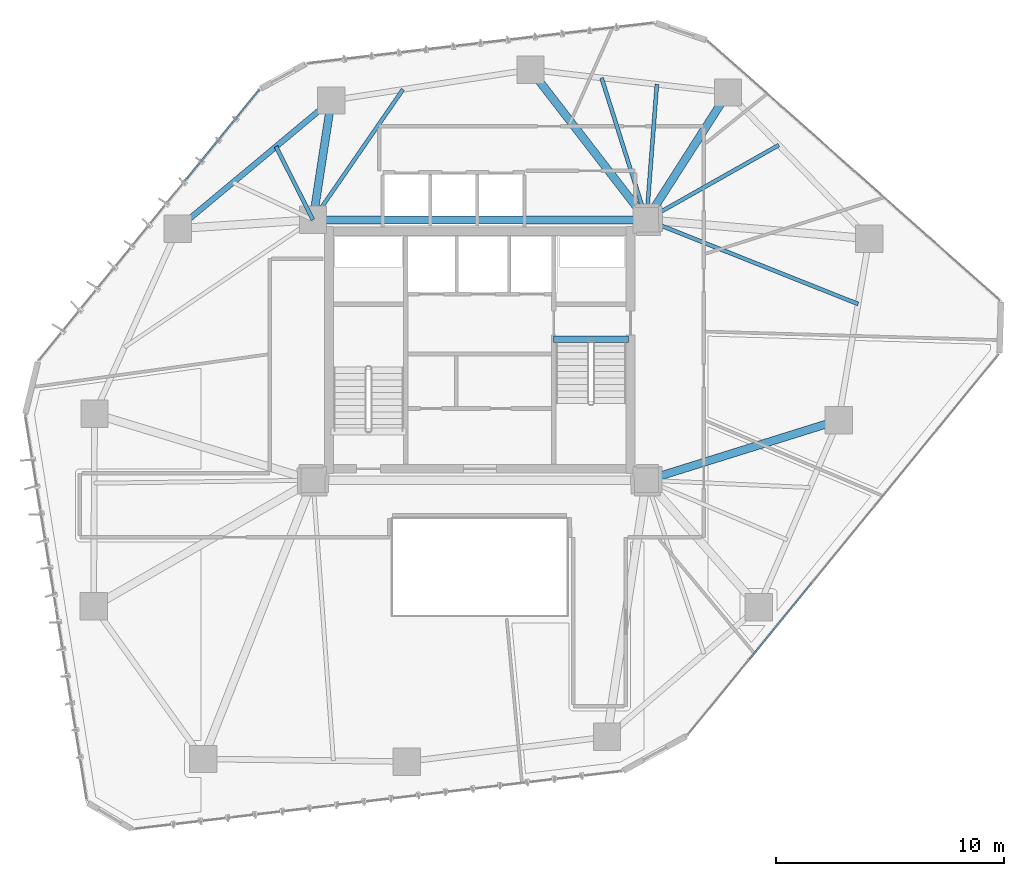
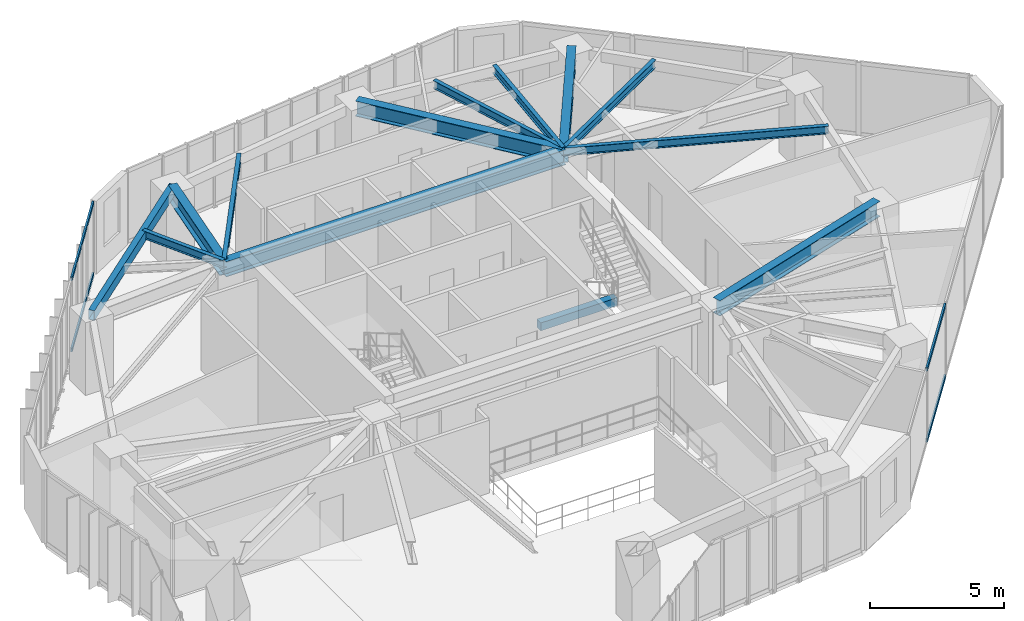
# One storey, part 11 of 24: 13 beams, 4 members, 2 elements without a shape of their own.
"""IFC4 building model written with IfcOpenShell, lengths in metres."""

from ifc_helpers import new_model, si_unit, direction, frame, origin, origin_2d, place, context, subcontext, project, spatial, rectangle, hollow_rectangle, i_section, extrude, source, transform, mapped, material, layer, layer_set, material_profile, profile_set, type_object, type_shapes, element, aggregate, save


model = new_model("IFC4")

# Units and contexts
model_context = context("Model", 3, precision=1e-05, world=origin(), true_north=direction((0.0, 1.0)))
body_context = subcontext(model_context, "Body", "Model", "MODEL_VIEW")
ifc_project = project(units=[si_unit("LENGTHUNIT", "METRE"), si_unit("AREAUNIT", "SQUARE_METRE"), si_unit("VOLUMEUNIT", "CUBIC_METRE"), si_unit("PLANEANGLEUNIT", "RADIAN"), si_unit("MASSUNIT", "GRAM", prefix="KILO")], contexts=[model_context])

# Site, building, storey
site_placement = place(None, origin())
site = spatial("IfcSite", under=ifc_project, at=site_placement, CompositionType="ELEMENT")
building_placement = place(site_placement, origin())
building = spatial("IfcBuilding", under=site, at=building_placement, Name="Talar Marvaseh", CompositionType="ELEMENT")
storey_placement = place(building_placement, frame((0.0, 0.0, 111.0)))
storey = spatial("IfcBuildingStorey", under=building, at=storey_placement, Name="L28", CompositionType="ELEMENT", Elevation=111.0)

# Beams
ifc_material_1 = material(Name="Concrete C40/50", Category="concrete")
ifc_material_profile_1 = material_profile(ifc_material_1, rectangle(XDim=0.300048828125, YDim=0.360107421875, at=origin_2d()), Name="RC300x360")
ifc_profile_set_1 = profile_set([ifc_material_profile_1], Name="Concrete C40/50")
beam_type_1 = type_object("IfcBeamType", Name="Concrete Stair Landing Trimmer Beam RC300x360", PredefinedType="SPANDREL", material=ifc_profile_set_1)
beam_1_placement = place(storey_placement, frame((29.219970703125, 31.669921875, -0.179931640625), z_axis=(1.0, 0.0, 0.0), x_axis=(0.0, 1.0, 0.0)))
element("IfcBeam", 1, at=beam_1_placement, inside=storey, type_object=beam_type_1, Name="L28 ST-2 Stair Nosing Trimmer Beam", PredefinedType="SPANDREL", context=body_context, shape_type="SweptSolid", body=[
    extrude(rectangle(XDim=0.300048828125, YDim=0.360107421875, at=origin_2d()), origin(), (0.0, 0.0, 1.0), 3.300048828125),
])
ifc_material_2 = material(Name="Steel S355", Category="steel")
ifc_material_profile_2 = material_profile(ifc_material_2, hollow_rectangle(XDim=0.25, YDim=0.449951171875, WallThickness=0.01611328125, at=origin_2d()), Name="RHS450x250x16")
ifc_profile_set_2 = profile_set([ifc_material_profile_2], Name="Steel S355")
beam_type_2 = type_object("IfcBeamType", Name="Zone 2 Perimeter Spandrel Beam RHS450x250x16", PredefinedType="SPANDREL", material=ifc_profile_set_2)
beam_2_placement = place(storey_placement, frame((12.780029296875, 36.51708984375, 3.0849609375), z_axis=(0.76793081465, 0.640532796905, 0.0), x_axis=(-0.640532796905, 0.76793081465, 0.0)))
element("IfcBeam", 2, at=beam_2_placement, inside=storey, type_object=beam_type_2, Name="L28 Zone 2 Perimeter Spandrel Beam RHS450x250x16", PredefinedType="SPANDREL", context=body_context, shape_type="SweptSolid", body=[
    extrude(hollow_rectangle(XDim=0.25, YDim=0.449951171875, WallThickness=0.01611328125, at=origin_2d()), origin(), (0.0, 0.0, 1.0), 8.751953125),
])
ifc_material_profile_3 = material_profile(ifc_material_2, i_section(OverallWidth=0.35498046875, OverallDepth=0.695068359375, WebThickness=0.015380859375, FlangeThickness=0.02490234375, at=origin_2d()), Name="W690x217")
ifc_profile_set_3 = profile_set([ifc_material_profile_3], Name="Steel S355")
beam_type_3 = type_object("IfcBeamType", Name="Zone 2 Radial Floor Girder W690x217", PredefinedType="BEAM", material=ifc_profile_set_3)
beam_3_placement = place(storey_placement, frame((18.699951171875, 36.89990234375, 2.96240234375), z_axis=(1.0, 0.0, 0.0), x_axis=(0.0, 1.0, 0.0)))
element("IfcBeam", 3, at=beam_3_placement, inside=storey, type_object=beam_type_3, Name="L28 Zone 2 Radial Floor Girder W690x217", PredefinedType="BEAM", context=body_context, shape_type="SweptSolid", body=[
    extrude(i_section(OverallWidth=0.35498046875, OverallDepth=0.695068359375, WebThickness=0.015380859375, FlangeThickness=0.02490234375, at=origin_2d()), origin(), (0.0, 0.0, 1.0), 14.60009765625),
])
beam_4_placement = place(storey_placement, frame((36.865966796875, 42.470947265625, 2.96240234375), z_axis=(-0.539101874952, -0.842240564461, 0.0), x_axis=(0.842240564461, -0.539101874952, 0.0)))
element("IfcBeam", 4, at=beam_4_placement, inside=storey, type_object=beam_type_3, Name="L28 Zone 2 Radial Floor Girder W690x217", PredefinedType="BEAM", context=body_context, shape_type="SweptSolid", body=[
    extrude(i_section(OverallWidth=0.35498046875, OverallDepth=0.695068359375, WebThickness=0.015380859375, FlangeThickness=0.02490234375, at=origin_2d()), origin(), (0.0, 0.0, 1.0), 6.614501953125),
])
beam_5_placement = place(storey_placement, frame((41.708984375, 28.1279296875, 2.96240234375), z_axis=(-0.954475540106, -0.298289194138, 0.0), x_axis=(0.298289194138, -0.954475540106, 0.0)))
element("IfcBeam", 5, at=beam_5_placement, inside=storey, type_object=beam_type_3, Name="L28 Zone 2 Radial Floor Girder W690x217", PredefinedType="BEAM", context=body_context, shape_type="SweptSolid", body=[
    extrude(i_section(OverallWidth=0.35498046875, OverallDepth=0.695068359375, WebThickness=0.015380859375, FlangeThickness=0.02490234375, at=origin_2d()), origin(), (0.0, 0.0, 1.0), 8.81005859375),
])
beam_6_placement = place(storey_placement, frame((19.5009765625, 42.123046875, 2.96240234375), z_axis=(-0.151588471466, -0.98844369355, 0.0), x_axis=(0.98844369355, -0.151588471466, 0.0)))
element("IfcBeam", 6, at=beam_6_placement, inside=storey, type_object=beam_type_3, Name="L28 Zone 2 Radial Floor Girder W690x217", PredefinedType="BEAM", context=body_context, shape_type="SweptSolid", body=[
    extrude(i_section(OverallWidth=0.35498046875, OverallDepth=0.695068359375, WebThickness=0.015380859375, FlangeThickness=0.02490234375, at=origin_2d()), origin(), (0.0, 0.0, 1.0), 5.2841796875),
])
beam_7_placement = place(storey_placement, frame((28.221923828125, 43.471923828125, 2.96240234375), z_axis=(0.611428258763, -0.791299870079, 0.0), x_axis=(0.791299870079, 0.611428258763, 0.0)))
element("IfcBeam", 7, at=beam_7_placement, inside=storey, type_object=beam_type_3, Name="L28 Zone 2 Radial Floor Girder W690x217", PredefinedType="BEAM", context=body_context, shape_type="SweptSolid", body=[
    extrude(i_section(OverallWidth=0.35498046875, OverallDepth=0.695068359375, WebThickness=0.015380859375, FlangeThickness=0.02490234375, at=origin_2d()), origin(), (0.0, 0.0, 1.0), 8.305419921875),
])
ifc_material_profile_4 = material_profile(ifc_material_2, i_section(OverallWidth=0.172119140625, OverallDepth=0.35791015625, WebThickness=0.0078125, FlangeThickness=0.01318359375, at=origin_2d()), Name="W360x57")
ifc_profile_set_4 = profile_set([ifc_material_profile_4], Name="Steel S355")
beam_type_4 = type_object("IfcBeamType", Name="Zone 2 Secondary Floor Joist W360x57", PredefinedType="JOIST", material=ifc_profile_set_4)
beam_8_placement = place(storey_placement, frame((39.090087890625, 40.168701171875, 3.131103515625), z_axis=(-0.870809604029, -0.491620416105, 0.0), x_axis=(0.491620416105, -0.870809604029, 0.0)))
element("IfcBeam", 8, at=beam_8_placement, inside=storey, type_object=beam_type_4, Name="L28 Zone 2 Secondary Floor Joist W360x57", PredefinedType="JOIST", context=body_context, shape_type="SweptSolid", body=[
    extrude(i_section(OverallWidth=0.172119140625, OverallDepth=0.35791015625, WebThickness=0.0078125, FlangeThickness=0.01318359375, at=origin_2d()), origin(), (0.0, 0.0, 1.0), 6.64892578125),
])
beam_9_placement = place(storey_placement, frame((42.5634765625, 33.214599609375, 3.131103515625), z_axis=(-0.929169193082, 0.369654718119, 0.0), x_axis=(-0.369654718119, -0.929169193082, 0.0)))
element("IfcBeam", 9, at=beam_9_placement, inside=storey, type_object=beam_type_4, Name="L28 Zone 2 Secondary Floor Joist W360x57", PredefinedType="JOIST", context=body_context, shape_type="SweptSolid", body=[
    extrude(i_section(OverallWidth=0.172119140625, OverallDepth=0.35791015625, WebThickness=0.0078125, FlangeThickness=0.01318359375, at=origin_2d()), origin(), (0.0, 0.0, 1.0), 9.969482421875),
])
beam_10_placement = place(storey_placement, frame((17.081298828125, 40.104736328125, 3.131103515625), z_axis=(0.450827436945, -0.892611125909, 0.0), x_axis=(0.892611125909, 0.450827436945, 0.0)))
element("IfcBeam", 10, at=beam_10_placement, inside=storey, type_object=beam_type_4, Name="L28 Zone 2 Secondary Floor Joist W360x57", PredefinedType="JOIST", context=body_context, shape_type="SweptSolid", body=[
    extrude(i_section(OverallWidth=0.172119140625, OverallDepth=0.35791015625, WebThickness=0.0078125, FlangeThickness=0.01318359375, at=origin_2d()), origin(), (0.0, 0.0, 1.0), 3.59033203125),
])
beam_11_placement = place(storey_placement, frame((22.640625, 42.608642578125, 3.131103515625), z_axis=(-0.568085734836, -0.822969378456, 0.0), x_axis=(0.822969378456, -0.568085734836, 0.0)))
element("IfcBeam", 11, at=beam_11_placement, inside=storey, type_object=beam_type_4, Name="L28 Zone 2 Secondary Floor Joist W360x57", PredefinedType="JOIST", context=body_context, shape_type="SweptSolid", body=[
    extrude(i_section(OverallWidth=0.172119140625, OverallDepth=0.35791015625, WebThickness=0.0078125, FlangeThickness=0.01318359375, at=origin_2d()), origin(), (0.0, 0.0, 1.0), 6.936767578125),
])
beam_12_placement = place(storey_placement, frame((31.333740234375, 43.111572265625, 3.131103515625), z_axis=(0.301791238044, -0.953374033966, 0.0), x_axis=(0.953374033966, 0.301791238044, 0.0)))
element("IfcBeam", 12, at=beam_12_placement, inside=storey, type_object=beam_type_4, Name="L28 Zone 2 Secondary Floor Joist W360x57", PredefinedType="JOIST", context=body_context, shape_type="SweptSolid", body=[
    extrude(i_section(OverallWidth=0.172119140625, OverallDepth=0.35791015625, WebThickness=0.0078125, FlangeThickness=0.01318359375, at=origin_2d()), origin(), (0.0, 0.0, 1.0), 6.515380859375),
])
beam_13_placement = place(storey_placement, frame((33.754150390625, 42.831298828125, 3.131103515625), z_axis=(-0.076335577703, -0.99708218296, 0.0), x_axis=(0.99708218296, -0.076335577703, 0.0)))
element("IfcBeam", 13, at=beam_13_placement, inside=storey, type_object=beam_type_4, Name="L28 Zone 2 Secondary Floor Joist W360x57", PredefinedType="JOIST", context=body_context, shape_type="SweptSolid", body=[
    extrude(i_section(OverallWidth=0.172119140625, OverallDepth=0.35791015625, WebThickness=0.0078125, FlangeThickness=0.01318359375, at=origin_2d()), origin(), (0.0, 0.0, 1.0), 5.94873046875),
])

# Curtain wall, members
ifc_material_3 = material(Name="Architectural Aluminium", Category="aluminium")
ifc_layer = layer(ifc_material_3, 0.199951171875)
ifc_layer_set = layer_set([ifc_layer], Name="Architectural Aluminium")
curtain_wall_type = type_object("IfcCurtainWallType", Name="Unitised Acoustic Library Curtain Wall Z2", PredefinedType="NOTDEFINED", material=ifc_layer_set)
curtain_wall_1_placement = place(storey_placement, origin())
curtain_wall_1 = element("IfcCurtainWall", 14, at=curtain_wall_1_placement, inside=storey, type_object=curtain_wall_type, Name="L28 Unitised Acoustic Library Curtain Wall Z2", PredefinedType="NOTDEFINED")
ifc_material_profile_5 = material_profile(ifc_material_3, hollow_rectangle(XDim=0.074951171875, YDim=0.179931640625, WallThickness=0.0048828125, at=origin_2d()), Name="RHS180x75x5")
ifc_profile_set_5 = profile_set([ifc_material_profile_5], Name="Architectural Aluminium")
member_type = type_object("IfcMemberType", Name="Unitised Curtain Wall Transom RHS180x75x5", PredefinedType="USERDEFINED", material=ifc_profile_set_5)
shared_shape_1 = source(origin(), body_context, "Body", "SweptSolid", [
    extrude(hollow_rectangle(XDim=0.074951171875, YDim=0.179931640625, WallThickness=0.0048828125, at=origin_2d()), origin(), (0.0, 0.0, 1.0), 4.24853515625),
])
member_1_placement = place(storey_placement, frame((40.511474609375, 20.972900390625, 0.03759765625), z_axis=(-0.632818364367, -0.774300276197, 0.0), x_axis=(0.774300276197, -0.632818364367, 0.0)))
member_1 = element("IfcMember", 15, at=member_1_placement, type_object=member_type, Name="CW-Z2 transom 4.1", ObjectType="TRANSOM", PredefinedType="USERDEFINED", context=body_context, shape_type="MappedRepresentation", body=[
    mapped(shared_shape_1, transform((0.0, 0.0, 0.0), x_axis=(1.0, 0.0, 0.0), y_axis=(0.0, 1.0, 0.0), z_axis=(0.0, 0.0, 1.0), scale=1.0)),
])
member_2_placement = place(storey_placement, frame((40.511474609375, 20.972900390625, 3.2724609375), z_axis=(-0.632818364367, -0.774300276197, 0.0), x_axis=(0.774300276197, -0.632818364367, 0.0)))
member_2 = element("IfcMember", 16, at=member_2_placement, type_object=member_type, Name="CW-Z2 transom 4.2", ObjectType="TRANSOM", PredefinedType="USERDEFINED", context=body_context, shape_type="MappedRepresentation", body=[
    mapped(shared_shape_1, transform((0.0, 0.0, 0.0), x_axis=(1.0, 0.0, 0.0), y_axis=(0.0, 1.0, 0.0), z_axis=(0.0, 0.0, 1.0), scale=1.0)),
])
aggregate(curtain_wall_1, [member_1, member_2])

curtain_wall_2_placement = place(storey_placement, origin())
curtain_wall_2 = element("IfcCurtainWall", 17, at=curtain_wall_2_placement, inside=storey, type_object=curtain_wall_type, Name="L28 Unitised Acoustic Library Curtain Wall Z2", PredefinedType="NOTDEFINED")
shared_shape_2 = source(origin(), body_context, "Body", "SweptSolid", [
    extrude(hollow_rectangle(XDim=0.074951171875, YDim=0.179931640625, WallThickness=0.0048828125, at=origin_2d()), origin(), (0.0, 0.0, 1.0), 5.017822265625),
])
type_shapes(member_type, [shared_shape_1, shared_shape_2])
member_3_placement = place(storey_placement, frame((13.17236328125, 38.68896484375, 0.03759765625), z_axis=(0.631795324816, 0.775135257578, 0.0), x_axis=(-0.775135257578, 0.631795324816, 0.0)))
member_3 = element("IfcMember", 18, at=member_3_placement, type_object=member_type, Name="CW-Z2 transom 3.1", ObjectType="TRANSOM", PredefinedType="USERDEFINED", context=body_context, shape_type="MappedRepresentation", body=[
    mapped(shared_shape_2, transform((0.0, 0.0, 0.0), x_axis=(1.0, 0.0, 0.0), y_axis=(0.0, 1.0, 0.0), z_axis=(0.0, 0.0, 1.0), scale=1.0)),
])
member_4_placement = place(storey_placement, frame((13.17236328125, 38.68896484375, 3.2724609375), z_axis=(0.631795324816, 0.775135257578, 0.0), x_axis=(-0.775135257578, 0.631795324816, 0.0)))
member_4 = element("IfcMember", 19, at=member_4_placement, type_object=member_type, Name="CW-Z2 transom 3.2", ObjectType="TRANSOM", PredefinedType="USERDEFINED", context=body_context, shape_type="MappedRepresentation", body=[
    mapped(shared_shape_2, transform((0.0, 0.0, 0.0), x_axis=(1.0, 0.0, 0.0), y_axis=(0.0, 1.0, 0.0), z_axis=(0.0, 0.0, 1.0), scale=1.0)),
])
aggregate(curtain_wall_2, [member_3, member_4])

save(model, "model.ifc")
